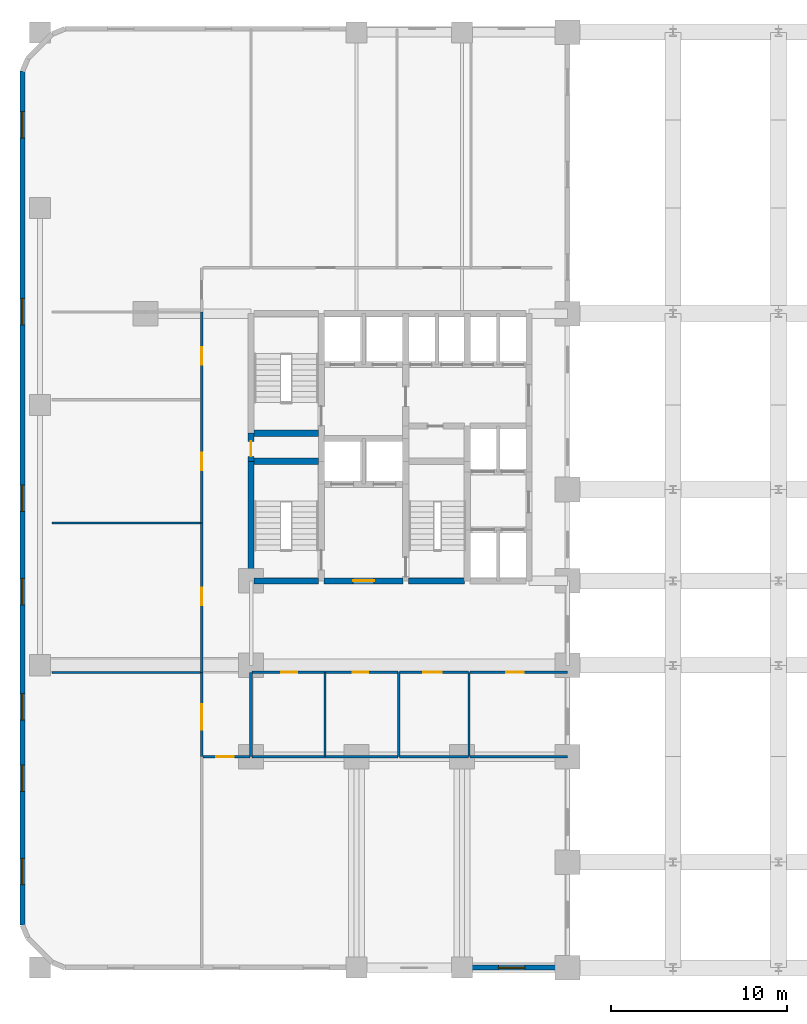
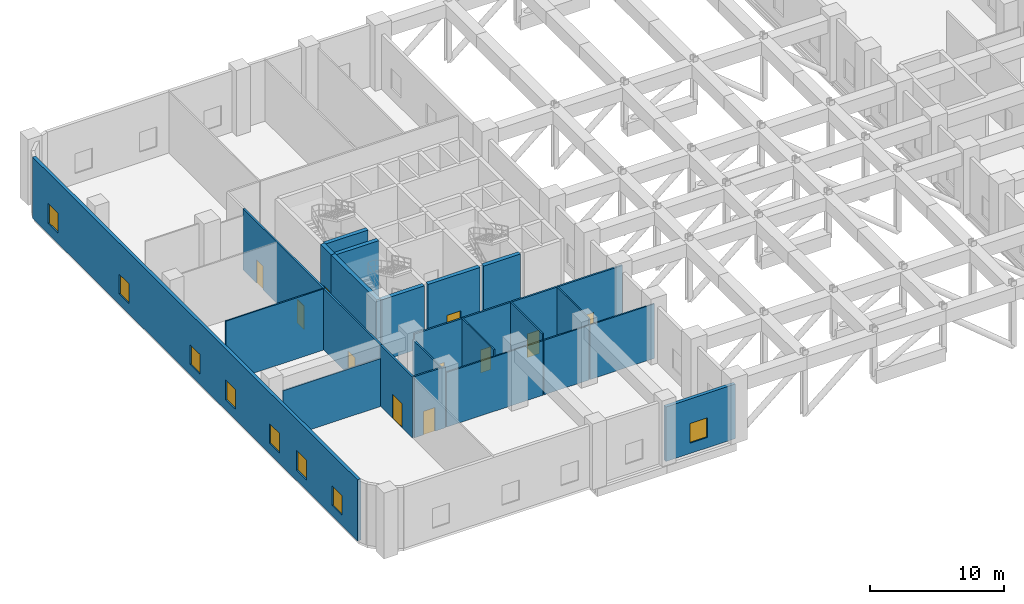
# One storey, part 4 of 11: 25 walls, 11 doors, 8 windows, 19 openings.
"""IFC4 building model written with IfcOpenShell, lengths in metres."""

from ifc_helpers import new_model, si_unit, direction, frame, frame_2d, origin, place, context, subcontext, project, spatial, rectangle, extrude, material, layer, layer_set, type_object, element, fill, save


model = new_model("IFC4")

# Units and contexts
model_context = context("Model", 3, precision=1e-05, world=origin(), true_north=direction((0.0, 1.0)))
body_context = subcontext(model_context, "Body", "Model", "MODEL_VIEW")
ifc_project = project(units=[si_unit("LENGTHUNIT", "METRE"), si_unit("AREAUNIT", "SQUARE_METRE"), si_unit("VOLUMEUNIT", "CUBIC_METRE"), si_unit("PLANEANGLEUNIT", "RADIAN"), si_unit("MASSUNIT", "GRAM", prefix="KILO")], contexts=[model_context])

# Site, building, storey
site_placement = place(None, origin())
site = spatial("IfcSite", under=ifc_project, at=site_placement, CompositionType="ELEMENT")
building_placement = place(site_placement, origin())
building = spatial("IfcBuilding", under=site, at=building_placement, Name="Keshet Zoharim Tower", CompositionType="ELEMENT")
storey_placement = place(building_placement, frame((0.0, 0.0, 13.0)))
storey = spatial("IfcBuildingStorey", under=building, at=storey_placement, Name="L02", CompositionType="ELEMENT", Elevation=13.0)

# Wall, opening, door
ifc_material_1 = material(Name="Gypsum Plasterboard", Category="gypsum")
ifc_layer_1 = layer(ifc_material_1, 0.14990234375)
ifc_layer_set_1 = layer_set([ifc_layer_1], Name="Gypsum Plasterboard")
wall_type_1 = type_object("IfcWallType", Name="WL-CLIN-150", PredefinedType="STANDARD", material=ifc_layer_set_1)
wall_1_placement = place(storey_placement, frame((12.199951171875, 12.699951171875, 0.0), z_axis=(0.0, 0.0, 1.0), x_axis=(0.0, 1.0, 0.0)))
wall_1 = element("IfcWall", 1, at=wall_1_placement, inside=storey, type_object=wall_type_1, Name="L02 Interior Wall 002", PredefinedType="STANDARD", context=body_context, shape_type="SweptSolid", body=[
    extrude(rectangle(XDim=4.800048828125, YDim=0.14990234375, at=frame_2d((2.39990234375, 0.0))), origin(), (0.0, 0.0, 1.0), 5.580078125),
])
opening_1_placement = place(wall_1_placement, frame((1.529052734375, 0.0, 0.0)))
opening_1 = element("IfcOpeningElement", 2, at=opening_1_placement, cuts=wall_1, Name="Opening D-F314", PredefinedType="OPENING", context=body_context, shape_type="SweptSolid", body=[
    extrude(rectangle(XDim=1.449951171875, YDim=2.199951171875, at=frame_2d((0.72509765625, 1.10009765625))), frame((0.0, 0.0849609375, 0.0), z_axis=(0.0, -1.0, 0.0), x_axis=(1.0, 0.0, 0.0)), (0.0, 0.0, 1.0), 0.169921875),
])
ifc_material_2 = material(Name="Hardwood Timber", Category="wood")
door_type_1 = type_object("IfcDoorType", Name="DR-FD30-145", OperationType="DOUBLE_DOOR_SINGLE_SWING", PredefinedType="DOOR", material=ifc_material_2)
door_1_placement = place(opening_1_placement, origin())
door_1 = element("IfcDoor", 3, at=door_1_placement, inside=storey, type_object=door_type_1, Name="L02 Clinic Patient Waiting Lounge Door", OperationType="DOUBLE_DOOR_SINGLE_SWING", OverallHeight=2.199951171875, OverallWidth=1.449951171875, PredefinedType="DOOR", context=body_context, shape_type="SweptSolid", body=[
    extrude(rectangle(XDim=1.449951171875, YDim=2.199951171875, at=frame_2d((0.72509765625, 1.10009765625))), frame((0.0, 0.02490234375, 0.0), z_axis=(0.0, -1.0, 0.0), x_axis=(1.0, 0.0, 0.0)), (0.0, 0.0, 1.0), 0.050048828125),
])
fill(opening_1, door_1)

wall_2_placement = place(storey_placement, frame((12.199951171875, 17.5, 0.0), z_axis=(0.0, 0.0, 1.0), x_axis=(0.0, 1.0, 0.0)))
wall_2 = element("IfcWall", 4, at=wall_2_placement, inside=storey, type_object=wall_type_1, Name="L02 Interior Wall 003", PredefinedType="STANDARD", context=body_context, shape_type="SweptSolid", body=[
    extrude(rectangle(XDim=8.5, YDim=0.14990234375, at=frame_2d((4.25, 0.0))), origin(), (0.0, 0.0, 1.0), 5.580078125),
])
opening_2_placement = place(wall_2_placement, frame((3.800048828125, 0.0, 0.0)))
opening_2 = element("IfcOpeningElement", 5, at=opening_2_placement, cuts=wall_2, Name="Opening D-F310", PredefinedType="OPENING", context=body_context, shape_type="SweptSolid", body=[
    extrude(rectangle(XDim=1.0, YDim=2.14990234375, at=frame_2d((0.5, 1.074951171875))), frame((0.0, 0.0849609375, 0.0), z_axis=(0.0, -1.0, 0.0), x_axis=(1.0, 0.0, 0.0)), (0.0, 0.0, 1.0), 0.169921875),
])
door_type_2 = type_object("IfcDoorType", Name="DR-FD30-100", OperationType="NOTDEFINED", PredefinedType="DOOR", material=ifc_material_2)
door_2_placement = place(opening_2_placement, origin())
door_2 = element("IfcDoor", 6, at=door_2_placement, inside=storey, type_object=door_type_2, Name="L02 Outpatient Consultation Room 1 Door", OperationType="SINGLE_SWING_LEFT", OverallHeight=2.14990234375, OverallWidth=1.0, PredefinedType="DOOR", context=body_context, shape_type="SweptSolid", body=[
    extrude(rectangle(XDim=1.0, YDim=2.14990234375, at=frame_2d((0.5, 1.074951171875))), frame((0.0, 0.02490234375, 0.0), z_axis=(0.0, -1.0, 0.0), x_axis=(1.0, 0.0, 0.0)), (0.0, 0.0, 1.0), 0.050048828125),
])
fill(opening_2, door_2)

# Wall, openings, doors
wall_3_placement = place(storey_placement, frame((12.199951171875, 26.0, 0.0), z_axis=(0.0, 0.0, 1.0), x_axis=(0.0, 1.0, 0.0)))
wall_3 = element("IfcWall", 7, at=wall_3_placement, inside=storey, type_object=wall_type_1, Name="L02 Interior Wall 004", PredefinedType="STANDARD", context=body_context, shape_type="SweptSolid", body=[
    extrude(rectangle(XDim=12.0, YDim=0.14990234375, at=frame_2d((6.0, 0.0))), origin(), (0.0, 0.0, 1.0), 5.580078125),
])
opening_3_placement = place(wall_3_placement, frame((3.0, 0.0, 0.0)))
opening_3 = element("IfcOpeningElement", 8, at=opening_3_placement, cuts=wall_3, Name="Opening D-F310", PredefinedType="OPENING", context=body_context, shape_type="SweptSolid", body=[
    extrude(rectangle(XDim=1.0, YDim=2.14990234375, at=frame_2d((0.5, 1.074951171875))), frame((0.0, 0.0849609375, 0.0), z_axis=(0.0, -1.0, 0.0), x_axis=(1.0, 0.0, 0.0)), (0.0, 0.0, 1.0), 0.169921875),
])
opening_4_placement = place(wall_3_placement, frame((9.0, 0.0, 0.0)))
opening_4 = element("IfcOpeningElement", 9, at=opening_4_placement, cuts=wall_3, Name="Opening D-F310", PredefinedType="OPENING", context=body_context, shape_type="SweptSolid", body=[
    extrude(rectangle(XDim=1.0, YDim=2.14990234375, at=frame_2d((0.5, 1.074951171875))), frame((0.0, 0.0849609375, 0.0), z_axis=(0.0, -1.0, 0.0), x_axis=(1.0, 0.0, 0.0)), (0.0, 0.0, 1.0), 0.169921875),
])
door_3_placement = place(opening_3_placement, origin())
door_3 = element("IfcDoor", 10, at=door_3_placement, inside=storey, type_object=door_type_2, Name="L02 Clinical Examination Room 1 Door", OperationType="SINGLE_SWING_RIGHT", OverallHeight=2.14990234375, OverallWidth=1.0, PredefinedType="DOOR", context=body_context, shape_type="SweptSolid", body=[
    extrude(rectangle(XDim=1.0, YDim=2.14990234375, at=frame_2d((0.5, 1.074951171875))), frame((0.0, 0.02490234375, 0.0), z_axis=(0.0, -1.0, 0.0), x_axis=(1.0, 0.0, 0.0)), (0.0, 0.0, 1.0), 0.050048828125),
])
fill(opening_3, door_3)
door_4_placement = place(opening_4_placement, origin())
door_4 = element("IfcDoor", 11, at=door_4_placement, inside=storey, type_object=door_type_2, Name="L02 Medical Treatment Room 1 Door", OperationType="SINGLE_SWING_LEFT", OverallHeight=2.14990234375, OverallWidth=1.0, PredefinedType="DOOR", context=body_context, shape_type="SweptSolid", body=[
    extrude(rectangle(XDim=1.0, YDim=2.14990234375, at=frame_2d((0.5, 1.074951171875))), frame((0.0, 0.02490234375, 0.0), z_axis=(0.0, -1.0, 0.0), x_axis=(1.0, 0.0, 0.0)), (0.0, 0.0, 1.0), 0.050048828125),
])
fill(opening_4, door_4)

# Wall
wall_4_placement = place(storey_placement, frame((15.0, 12.699951171875, 0.0), z_axis=(0.0, 0.0, 1.0), x_axis=(0.0, 1.0, 0.0)))
element("IfcWall", 12, at=wall_4_placement, inside=storey, type_object=wall_type_1, Name="L02 Interior Wall 006", PredefinedType="STANDARD", context=body_context, shape_type="SweptSolid", body=[
    extrude(rectangle(XDim=4.800048828125, YDim=0.14990234375, at=frame_2d((2.39990234375, 0.0))), origin(), (0.0, 0.0, 1.0), 5.080078125),
])

# Wall, opening, door
wall_5_placement = place(storey_placement, frame((12.260009765625, 12.699951171875, 0.0), z_axis=(0.0, 0.0, 1.0), x_axis=(1.0, 0.0, 0.0)))
wall_5 = element("IfcWall", 13, at=wall_5_placement, inside=storey, type_object=wall_type_1, Name="L02 Interior Wall 047", PredefinedType="STANDARD", context=body_context, shape_type="SweptSolid", body=[
    extrude(rectangle(XDim=2.679931640625, YDim=0.14990234375, at=frame_2d((1.33984375, 0.0))), origin(), (0.0, 0.0, 1.0), 5.580078125),
])
opening_5_placement = place(wall_5_placement, frame((0.76806640625, 0.0, 0.0)))
opening_5 = element("IfcOpeningElement", 14, at=opening_5_placement, cuts=wall_5, Name="Opening D-F310", PredefinedType="OPENING", context=body_context, shape_type="SweptSolid", body=[
    extrude(rectangle(XDim=1.0, YDim=2.14990234375, at=frame_2d((0.5, 1.074951171875))), frame((0.0, 0.0849609375, 0.0), z_axis=(0.0, -1.0, 0.0), x_axis=(1.0, 0.0, 0.0)), (0.0, 0.0, 1.0), 0.169921875),
])
door_5_placement = place(opening_5_placement, origin())
door_5 = element("IfcDoor", 15, at=door_5_placement, inside=storey, type_object=door_type_2, Name="L02 Clinic Records and Admin Office Door", OperationType="SINGLE_SWING_RIGHT", OverallHeight=2.14990234375, OverallWidth=1.0, PredefinedType="DOOR", context=body_context, shape_type="SweptSolid", body=[
    extrude(rectangle(XDim=1.0, YDim=2.14990234375, at=frame_2d((0.5, 1.074951171875))), frame((0.0, 0.02490234375, 0.0), z_axis=(0.0, -1.0, 0.0), x_axis=(1.0, 0.0, 0.0)), (0.0, 0.0, 1.0), 0.050048828125),
])
fill(opening_5, door_5)

# Wall, openings, doors
wall_6_placement = place(storey_placement, frame((15.06005859375, 17.5, 0.0), z_axis=(0.0, 0.0, 1.0), x_axis=(1.0, 0.0, 0.0)))
wall_6 = element("IfcWall", 16, at=wall_6_placement, inside=storey, type_object=wall_type_1, Name="L02 Interior Wall 052", PredefinedType="STANDARD", context=body_context, shape_type="SweptSolid", body=[
    extrude(rectangle(XDim=8.294921875, YDim=0.14990234375, at=frame_2d((4.1474609375, 0.0))), origin(), (0.0, 0.0, 1.0), 5.580078125),
])
opening_6_placement = place(wall_6_placement, frame((1.6650390625, 0.0, 0.0)))
opening_6 = element("IfcOpeningElement", 17, at=opening_6_placement, cuts=wall_6, Name="Opening D-WT90", PredefinedType="OPENING", context=body_context, shape_type="SweptSolid", body=[
    extrude(rectangle(XDim=0.89990234375, YDim=2.10009765625, at=frame_2d((0.449951171875, 1.050048828125))), frame((0.0, 0.0849609375, 0.0), z_axis=(0.0, -1.0, 0.0), x_axis=(1.0, 0.0, 0.0)), (0.0, 0.0, 1.0), 0.169921875),
])
opening_7_placement = place(wall_6_placement, frame((5.715087890625, 0.0, 0.0)))
opening_7 = element("IfcOpeningElement", 18, at=opening_7_placement, cuts=wall_6, Name="Opening D-WT90", PredefinedType="OPENING", context=body_context, shape_type="SweptSolid", body=[
    extrude(rectangle(XDim=0.89990234375, YDim=2.10009765625, at=frame_2d((0.449951171875, 1.050048828125))), frame((0.0, 0.0849609375, 0.0), z_axis=(0.0, -1.0, 0.0), x_axis=(1.0, 0.0, 0.0)), (0.0, 0.0, 1.0), 0.169921875),
])
door_type_3 = type_object("IfcDoorType", Name="DR-WET-090", OperationType="NOTDEFINED", PredefinedType="DOOR", material=ifc_material_2)
door_6_placement = place(opening_6_placement, origin())
door_6 = element("IfcDoor", 19, at=door_6_placement, inside=storey, type_object=door_type_3, Name="L02 Public Male WC Door", OperationType="SINGLE_SWING_LEFT", OverallHeight=2.10009765625, OverallWidth=0.89990234375, PredefinedType="DOOR", context=body_context, shape_type="SweptSolid", body=[
    extrude(rectangle(XDim=0.89990234375, YDim=2.10009765625, at=frame_2d((0.449951171875, 1.050048828125))), frame((0.0, 0.02490234375, 0.0), z_axis=(0.0, -1.0, 0.0), x_axis=(1.0, 0.0, 0.0)), (0.0, 0.0, 1.0), 0.050048828125),
])
fill(opening_6, door_6)
door_7_placement = place(opening_7_placement, origin())
door_7 = element("IfcDoor", 20, at=door_7_placement, inside=storey, type_object=door_type_3, Name="L02 Public Female WC Door", OperationType="SINGLE_SWING_RIGHT", OverallHeight=2.10009765625, OverallWidth=0.89990234375, PredefinedType="DOOR", context=body_context, shape_type="SweptSolid", body=[
    extrude(rectangle(XDim=0.89990234375, YDim=2.10009765625, at=frame_2d((0.449951171875, 1.050048828125))), frame((0.0, 0.02490234375, 0.0), z_axis=(0.0, -1.0, 0.0), x_axis=(1.0, 0.0, 0.0)), (0.0, 0.0, 1.0), 0.050048828125),
])
fill(opening_7, door_7)

# Wall, opening, door
wall_7_placement = place(storey_placement, frame((23.445068359375, 17.5, 0.0), z_axis=(0.0, 0.0, 1.0), x_axis=(1.0, 0.0, 0.0)))
wall_7 = element("IfcWall", 21, at=wall_7_placement, inside=storey, type_object=wall_type_1, Name="L02 Interior Wall 053", PredefinedType="STANDARD", context=body_context, shape_type="SweptSolid", body=[
    extrude(rectangle(XDim=3.909912109375, YDim=0.14990234375, at=frame_2d((1.955078125, 0.0))), origin(), (0.0, 0.0, 1.0), 5.580078125),
])
opening_8_placement = place(wall_7_placement, frame((1.35791015625, 0.0, 0.0)))
opening_8 = element("IfcOpeningElement", 22, at=opening_8_placement, cuts=wall_7, Name="Opening D-AC10", PredefinedType="OPENING", context=body_context, shape_type="SweptSolid", body=[
    extrude(rectangle(XDim=1.050048828125, YDim=2.14990234375, at=frame_2d((0.52490234375, 1.074951171875))), frame((0.0, 0.0849609375, 0.0), z_axis=(0.0, -1.0, 0.0), x_axis=(1.0, 0.0, 0.0)), (0.0, 0.0, 1.0), 0.169921875),
])
door_type_4 = type_object("IfcDoorType", Name="DR-ACC-105", OperationType="NOTDEFINED", PredefinedType="DOOR", material=ifc_material_2)
door_8_placement = place(opening_8_placement, origin())
door_8 = element("IfcDoor", 23, at=door_8_placement, inside=storey, type_object=door_type_4, Name="L02 Public Accessible WC Door", OperationType="SINGLE_SWING_LEFT", OverallHeight=2.14990234375, OverallWidth=1.050048828125, PredefinedType="DOOR", context=body_context, shape_type="SweptSolid", body=[
    extrude(rectangle(XDim=1.050048828125, YDim=2.14990234375, at=frame_2d((0.52490234375, 1.074951171875))), frame((0.0, 0.02490234375, 0.0), z_axis=(0.0, -1.0, 0.0), x_axis=(1.0, 0.0, 0.0)), (0.0, 0.0, 1.0), 0.050048828125),
])
fill(opening_8, door_8)

wall_8_placement = place(storey_placement, frame((27.445068359375, 17.5, 0.0), z_axis=(0.0, 0.0, 1.0), x_axis=(1.0, 0.0, 0.0)))
wall_8 = element("IfcWall", 24, at=wall_8_placement, inside=storey, type_object=wall_type_1, Name="L02 Interior Wall 054", PredefinedType="STANDARD", context=body_context, shape_type="SweptSolid", body=[
    extrude(rectangle(XDim=5.544921875, YDim=0.14990234375, at=frame_2d((2.7724609375, 0.0))), origin(), (0.0, 0.0, 1.0), 5.580078125),
])
opening_9_placement = place(wall_8_placement, frame((2.05908203125, 0.0, 0.0)))
opening_9 = element("IfcOpeningElement", 25, at=opening_9_placement, cuts=wall_8, Name="Opening D-F310", PredefinedType="OPENING", context=body_context, shape_type="SweptSolid", body=[
    extrude(rectangle(XDim=1.0, YDim=2.14990234375, at=frame_2d((0.5, 1.074951171875))), frame((0.0, 0.0849609375, 0.0), z_axis=(0.0, -1.0, 0.0), x_axis=(1.0, 0.0, 0.0)), (0.0, 0.0, 1.0), 0.169921875),
])
door_9_placement = place(opening_9_placement, origin())
door_9 = element("IfcDoor", 26, at=door_9_placement, inside=storey, type_object=door_type_2, Name="L02 Staff Lounge Door", OperationType="SINGLE_SWING_RIGHT", OverallHeight=2.14990234375, OverallWidth=1.0, PredefinedType="DOOR", context=body_context, shape_type="SweptSolid", body=[
    extrude(rectangle(XDim=1.0, YDim=2.14990234375, at=frame_2d((0.5, 1.074951171875))), frame((0.0, 0.02490234375, 0.0), z_axis=(0.0, -1.0, 0.0), x_axis=(1.0, 0.0, 0.0)), (0.0, 0.0, 1.0), 0.050048828125),
])
fill(opening_9, door_9)

# Wall
ifc_material_3 = material(Name="Concrete C60/75", Category="concrete")
ifc_layer_2 = layer(ifc_material_3, 0.35009765625)
ifc_layer_set_2 = layer_set([ifc_layer_2], Name="Concrete C60/75")
wall_type_2 = type_object("IfcWallType", Name="WL-CORE-350", PredefinedType="SHEAR", material=ifc_layer_set_2)
wall_9_placement = place(storey_placement, frame((15.0, 22.699951171875, 0.0), z_axis=(0.0, 0.0, 1.0), x_axis=(0.0, 1.0, 0.0)))
element("IfcWall", 27, at=wall_9_placement, inside=storey, type_object=wall_type_2, Name="L02 Core Shear Wall 007", PredefinedType="SHEAR", context=body_context, shape_type="SweptSolid", body=[
    extrude(rectangle(XDim=6.800048828125, YDim=0.35009765625, at=frame_2d((3.39990234375, 0.0))), origin(), (0.0, 0.0, 1.0), 5.580078125),
])

# Wall, opening, door
wall_10_placement = place(storey_placement, frame((15.0, 29.5, 0.0), z_axis=(0.0, 0.0, 1.0), x_axis=(0.0, 1.0, 0.0)))
wall_10 = element("IfcWall", 28, at=wall_10_placement, inside=storey, type_object=wall_type_2, Name="L02 Core Shear Wall 008", PredefinedType="SHEAR", context=body_context, shape_type="SweptSolid", body=[
    extrude(rectangle(XDim=1.60009765625, YDim=0.35009765625, at=frame_2d((0.800048828125, 0.0))), origin(), (0.0, 0.0, 1.0), 5.580078125),
])
opening_10_placement = place(wall_10_placement, frame((0.287109375, 0.0, 0.0)))
opening_10 = element("IfcOpeningElement", 29, at=opening_10_placement, cuts=wall_10, Name="Opening D-RS85", PredefinedType="OPENING", context=body_context, shape_type="SweptSolid", body=[
    extrude(rectangle(XDim=0.85009765625, YDim=2.10009765625, at=frame_2d((0.425048828125, 1.050048828125))), frame((0.0, 0.18505859375, 0.0), z_axis=(0.0, -1.0, 0.0), x_axis=(1.0, 0.0, 0.0)), (0.0, 0.0, 1.0), 0.3701171875),
])
door_type_5 = type_object("IfcDoorType", Name="DR-RIS-085", OperationType="NOTDEFINED", PredefinedType="DOOR", material=ifc_material_2)
door_10_placement = place(opening_10_placement, origin())
door_10 = element("IfcDoor", 30, at=door_10_placement, inside=storey, type_object=door_type_5, Name="L02 Electrical Riser Access Cupboard Door", OperationType="SINGLE_SWING_LEFT", OverallHeight=2.10009765625, OverallWidth=0.85009765625, PredefinedType="DOOR", context=body_context, shape_type="SweptSolid", body=[
    extrude(rectangle(XDim=0.85009765625, YDim=2.10009765625, at=frame_2d((0.425048828125, 1.050048828125))), frame((0.0, 0.02490234375, 0.0), z_axis=(0.0, -1.0, 0.0), x_axis=(1.0, 0.0, 0.0)), (0.0, 0.0, 1.0), 0.050048828125),
])
fill(opening_10, door_10)

# Wall
wall_11_placement = place(storey_placement, frame((15.159912109375, 22.699951171875, 0.0), z_axis=(0.0, 0.0, 1.0), x_axis=(1.0, 0.0, 0.0)))
element("IfcWall", 31, at=wall_11_placement, inside=storey, type_object=wall_type_2, Name="L02 Core Shear Wall 056", PredefinedType="SHEAR", context=body_context, shape_type="SweptSolid", body=[
    extrude(rectangle(XDim=3.68017578125, YDim=0.35009765625, at=frame_2d((1.840087890625, 0.0))), origin(), (0.0, 0.0, 1.0), 5.580078125),
])

# Wall, opening, door
wall_12_placement = place(storey_placement, frame((19.159912109375, 22.699951171875, 0.0), z_axis=(0.0, 0.0, 1.0), x_axis=(1.0, 0.0, 0.0)))
wall_12 = element("IfcWall", 32, at=wall_12_placement, inside=storey, type_object=wall_type_2, Name="L02 Core Shear Wall 057", PredefinedType="SHEAR", context=body_context, shape_type="SweptSolid", body=[
    extrude(rectangle(XDim=4.47998046875, YDim=0.35009765625, at=frame_2d((2.239990234375, 0.0))), origin(), (0.0, 0.0, 1.0), 5.580078125),
])
opening_11_placement = place(wall_12_placement, frame((1.639892578125, 0.0, 0.0)))
opening_11 = element("IfcOpeningElement", 33, at=opening_11_placement, cuts=wall_12, Name="Opening D-F612", PredefinedType="OPENING", context=body_context, shape_type="SweptSolid", body=[
    extrude(rectangle(XDim=1.199951171875, YDim=2.199951171875, at=frame_2d((0.60009765625, 1.10009765625))), frame((0.0, 0.18505859375, 0.0), z_axis=(0.0, -1.0, 0.0), x_axis=(1.0, 0.0, 0.0)), (0.0, 0.0, 1.0), 0.3701171875),
])
door_type_6 = type_object("IfcDoorType", Name="DR-FD60-120", OperationType="NOTDEFINED", PredefinedType="DOOR", material=ifc_material_2)
door_11_placement = place(opening_11_placement, origin())
door_11 = element("IfcDoor", 34, at=door_11_placement, inside=storey, type_object=door_type_6, Name="L02 South Core Lobby Fire Door", OperationType="SINGLE_SWING_LEFT", OverallHeight=2.199951171875, OverallWidth=1.199951171875, PredefinedType="DOOR", context=body_context, shape_type="SweptSolid", body=[
    extrude(rectangle(XDim=1.199951171875, YDim=2.199951171875, at=frame_2d((0.60009765625, 1.10009765625))), frame((0.0, 0.02490234375, 0.0), z_axis=(0.0, -1.0, 0.0), x_axis=(1.0, 0.0, 0.0)), (0.0, 0.0, 1.0), 0.050048828125),
])
fill(opening_11, door_11)

# Walls
wall_13_placement = place(storey_placement, frame((23.9599609375, 22.699951171875, 0.0), z_axis=(0.0, 0.0, 1.0), x_axis=(1.0, 0.0, 0.0)))
element("IfcWall", 35, at=wall_13_placement, inside=storey, type_object=wall_type_2, Name="L02 Core Shear Wall 058", PredefinedType="SHEAR", context=body_context, shape_type="SweptSolid", body=[
    extrude(rectangle(XDim=3.179931640625, YDim=0.35009765625, at=frame_2d((1.58984375, 0.0))), origin(), (0.0, 0.0, 1.0), 5.580078125),
])
for number, where, z_axis, x_axis, name in (
    (36, (15.159912109375, 29.5, 0.0), (0.0, 0.0, 1.0), (1.0, 0.0, 0.0), "L02 Core Shear Wall 065"),
    (37, (15.159912109375, 31.10009765625, 0.0), (0.0, 0.0, 1.0), (1.0, 0.0, 0.0), "L02 Core Shear Wall 070"),
):
    element("IfcWall", number, at=place(storey_placement, frame(where, z_axis=z_axis, x_axis=x_axis)), inside=storey, type_object=wall_type_2, Name=name, PredefinedType="SHEAR", context=body_context, shape_type="SweptSolid", body=[
        extrude(rectangle(XDim=3.68017578125, YDim=0.35009765625, at=frame_2d((1.840087890625, 0.0))), origin(), (0.0, 0.0, 1.0), 5.580078125),
    ])

# Wall, openings, windows
ifc_material_4 = material(Name="Concrete C50/60 precast", Category="concrete")
ifc_layer_3 = layer(ifc_material_4, 0.280029296875)
ifc_layer_set_3 = layer_set([ifc_layer_3], Name="Concrete C50/60 precast")
wall_type_3 = type_object("IfcWallType", Name="WL-EXT-280", PredefinedType="STANDARD", material=ifc_layer_set_3)
wall_14_placement = place(storey_placement, frame((2.0, 3.114013671875, 0.0), z_axis=(0.0, 0.0, 1.0), x_axis=(0.0, 1.0, 0.0)))
wall_14 = element("IfcWall", 38, at=wall_14_placement, inside=storey, type_object=wall_type_3, Name="L02 Podium Precast Facade Wall 01", PredefinedType="STANDARD", context=body_context, shape_type="SweptSolid", body=[
    extrude(rectangle(XDim=48.572021484375, YDim=0.280029296875, at=frame_2d((24.2861328125, 0.0))), origin(), (0.0, 0.0, 1.0), 5.580078125),
])
opening_12_placement = place(wall_14_placement, frame((2.303955078125, 0.0, 0.949951171875)))
opening_12 = element("IfcOpeningElement", 39, at=opening_12_placement, cuts=wall_14, Name="Opening W-150", PredefinedType="OPENING", context=body_context, shape_type="SweptSolid", body=[
    extrude(rectangle(XDim=1.5, YDim=1.800048828125, at=frame_2d((0.75, 0.89990234375))), frame((0.0, 0.14990234375, 0.0), z_axis=(0.0, -1.0, 0.0), x_axis=(1.0, 0.0, 0.0)), (0.0, 0.0, 1.0), 0.300048828125),
])
opening_13_placement = place(wall_14_placement, frame((7.612060546875, 0.0, 0.949951171875)))
opening_13 = element("IfcOpeningElement", 40, at=opening_13_placement, cuts=wall_14, Name="Opening W-150", PredefinedType="OPENING", context=body_context, shape_type="SweptSolid", body=[
    extrude(rectangle(XDim=1.5, YDim=1.800048828125, at=frame_2d((0.75, 0.89990234375))), frame((0.0, 0.14990234375, 0.0), z_axis=(0.0, -1.0, 0.0), x_axis=(1.0, 0.0, 0.0)), (0.0, 0.0, 1.0), 0.300048828125),
])
opening_14_placement = place(wall_14_placement, frame((11.669921875, 0.0, 0.949951171875)))
opening_14 = element("IfcOpeningElement", 41, at=opening_14_placement, cuts=wall_14, Name="Opening W-150", PredefinedType="OPENING", context=body_context, shape_type="SweptSolid", body=[
    extrude(rectangle(XDim=1.5, YDim=1.800048828125, at=frame_2d((0.75, 0.89990234375))), frame((0.0, 0.14990234375, 0.0), z_axis=(0.0, -1.0, 0.0), x_axis=(1.0, 0.0, 0.0)), (0.0, 0.0, 1.0), 0.300048828125),
])
opening_15_placement = place(wall_14_placement, frame((18.22802734375, 0.0, 0.949951171875)))
opening_15 = element("IfcOpeningElement", 42, at=opening_15_placement, cuts=wall_14, Name="Opening W-150", PredefinedType="OPENING", context=body_context, shape_type="SweptSolid", body=[
    extrude(rectangle(XDim=1.5, YDim=1.800048828125, at=frame_2d((0.75, 0.89990234375))), frame((0.0, 0.14990234375, 0.0), z_axis=(0.0, -1.0, 0.0), x_axis=(1.0, 0.0, 0.0)), (0.0, 0.0, 1.0), 0.300048828125),
])
opening_16_placement = place(wall_14_placement, frame((23.535888671875, 0.0, 0.949951171875)))
opening_16 = element("IfcOpeningElement", 43, at=opening_16_placement, cuts=wall_14, Name="Opening W-150", PredefinedType="OPENING", context=body_context, shape_type="SweptSolid", body=[
    extrude(rectangle(XDim=1.5, YDim=1.800048828125, at=frame_2d((0.75, 0.89990234375))), frame((0.0, 0.14990234375, 0.0), z_axis=(0.0, -1.0, 0.0), x_axis=(1.0, 0.0, 0.0)), (0.0, 0.0, 1.0), 0.300048828125),
])
opening_17_placement = place(wall_14_placement, frame((34.152099609375, 0.0, 0.949951171875)))
opening_17 = element("IfcOpeningElement", 44, at=opening_17_placement, cuts=wall_14, Name="Opening W-150", PredefinedType="OPENING", context=body_context, shape_type="SweptSolid", body=[
    extrude(rectangle(XDim=1.5, YDim=1.800048828125, at=frame_2d((0.75, 0.89990234375))), frame((0.0, 0.14990234375, 0.0), z_axis=(0.0, -1.0, 0.0), x_axis=(1.0, 0.0, 0.0)), (0.0, 0.0, 1.0), 0.300048828125),
])
opening_18_placement = place(wall_14_placement, frame((44.76806640625, 0.0, 0.949951171875)))
opening_18 = element("IfcOpeningElement", 45, at=opening_18_placement, cuts=wall_14, Name="Opening W-150", PredefinedType="OPENING", context=body_context, shape_type="SweptSolid", body=[
    extrude(rectangle(XDim=1.5, YDim=1.800048828125, at=frame_2d((0.75, 0.89990234375))), frame((0.0, 0.14990234375, 0.0), z_axis=(0.0, -1.0, 0.0), x_axis=(1.0, 0.0, 0.0)), (0.0, 0.0, 1.0), 0.300048828125),
])
ifc_material_5 = material(Name="Insulated Low-E Clear Glass", Category="glass")
window_type = type_object("IfcWindowType", Name="WN-CLN-150", PartitioningType="SINGLE_PANEL", PredefinedType="WINDOW", material=ifc_material_5)
window_1_placement = place(opening_12_placement, origin())
window_1 = element("IfcWindow", 46, at=window_1_placement, inside=storey, type_object=window_type, Name="L02 Clinic Facade Window 01", OverallHeight=1.800048828125, OverallWidth=1.5, PartitioningType="SINGLE_PANEL", PredefinedType="WINDOW", context=body_context, shape_type="SweptSolid", body=[
    extrude(rectangle(XDim=1.5, YDim=1.800048828125, at=frame_2d((0.75, 0.89990234375))), frame((0.0, 0.030029296875, 0.0), z_axis=(0.0, -1.0, 0.0), x_axis=(1.0, 0.0, 0.0)), (0.0, 0.0, 1.0), 0.06005859375),
])
fill(opening_12, window_1)
window_2_placement = place(opening_13_placement, origin())
window_2 = element("IfcWindow", 47, at=window_2_placement, inside=storey, type_object=window_type, Name="L02 Clinic Facade Window 02", OverallHeight=1.800048828125, OverallWidth=1.5, PartitioningType="SINGLE_PANEL", PredefinedType="WINDOW", context=body_context, shape_type="SweptSolid", body=[
    extrude(rectangle(XDim=1.5, YDim=1.800048828125, at=frame_2d((0.75, 0.89990234375))), frame((0.0, 0.030029296875, 0.0), z_axis=(0.0, -1.0, 0.0), x_axis=(1.0, 0.0, 0.0)), (0.0, 0.0, 1.0), 0.06005859375),
])
fill(opening_13, window_2)
window_3_placement = place(opening_14_placement, origin())
window_3 = element("IfcWindow", 48, at=window_3_placement, inside=storey, type_object=window_type, Name="L02 Clinic Facade Window 03", OverallHeight=1.800048828125, OverallWidth=1.5, PartitioningType="SINGLE_PANEL", PredefinedType="WINDOW", context=body_context, shape_type="SweptSolid", body=[
    extrude(rectangle(XDim=1.5, YDim=1.800048828125, at=frame_2d((0.75, 0.89990234375))), frame((0.0, 0.030029296875, 0.0), z_axis=(0.0, -1.0, 0.0), x_axis=(1.0, 0.0, 0.0)), (0.0, 0.0, 1.0), 0.06005859375),
])
fill(opening_14, window_3)
window_4_placement = place(opening_15_placement, origin())
window_4 = element("IfcWindow", 49, at=window_4_placement, inside=storey, type_object=window_type, Name="L02 Clinic Facade Window 04", OverallHeight=1.800048828125, OverallWidth=1.5, PartitioningType="SINGLE_PANEL", PredefinedType="WINDOW", context=body_context, shape_type="SweptSolid", body=[
    extrude(rectangle(XDim=1.5, YDim=1.800048828125, at=frame_2d((0.75, 0.89990234375))), frame((0.0, 0.030029296875, 0.0), z_axis=(0.0, -1.0, 0.0), x_axis=(1.0, 0.0, 0.0)), (0.0, 0.0, 1.0), 0.06005859375),
])
fill(opening_15, window_4)
window_5_placement = place(opening_16_placement, origin())
window_5 = element("IfcWindow", 50, at=window_5_placement, inside=storey, type_object=window_type, Name="L02 Clinic Facade Window 05", OverallHeight=1.800048828125, OverallWidth=1.5, PartitioningType="SINGLE_PANEL", PredefinedType="WINDOW", context=body_context, shape_type="SweptSolid", body=[
    extrude(rectangle(XDim=1.5, YDim=1.800048828125, at=frame_2d((0.75, 0.89990234375))), frame((0.0, 0.030029296875, 0.0), z_axis=(0.0, -1.0, 0.0), x_axis=(1.0, 0.0, 0.0)), (0.0, 0.0, 1.0), 0.06005859375),
])
fill(opening_16, window_5)
window_6_placement = place(opening_17_placement, origin())
window_6 = element("IfcWindow", 51, at=window_6_placement, inside=storey, type_object=window_type, Name="L02 Clinic Facade Window 06", OverallHeight=1.800048828125, OverallWidth=1.5, PartitioningType="SINGLE_PANEL", PredefinedType="WINDOW", context=body_context, shape_type="SweptSolid", body=[
    extrude(rectangle(XDim=1.5, YDim=1.800048828125, at=frame_2d((0.75, 0.89990234375))), frame((0.0, 0.030029296875, 0.0), z_axis=(0.0, -1.0, 0.0), x_axis=(1.0, 0.0, 0.0)), (0.0, 0.0, 1.0), 0.06005859375),
])
fill(opening_17, window_6)
window_7_placement = place(opening_18_placement, origin())
window_7 = element("IfcWindow", 52, at=window_7_placement, inside=storey, type_object=window_type, Name="L02 Clinic Facade Window 07", OverallHeight=1.800048828125, OverallWidth=1.5, PartitioningType="SINGLE_PANEL", PredefinedType="WINDOW", context=body_context, shape_type="SweptSolid", body=[
    extrude(rectangle(XDim=1.5, YDim=1.800048828125, at=frame_2d((0.75, 0.89990234375))), frame((0.0, 0.030029296875, 0.0), z_axis=(0.0, -1.0, 0.0), x_axis=(1.0, 0.0, 0.0)), (0.0, 0.0, 1.0), 0.06005859375),
])
fill(opening_18, window_7)

# Wall, opening, window
wall_15_placement = place(storey_placement, frame((33.0, 0.699951171875, 0.0), z_axis=(0.0, 0.0, 1.0), x_axis=(-1.0, 0.0, 0.0)))
wall_15 = element("IfcWall", 53, at=wall_15_placement, inside=storey, type_object=wall_type_3, Name="L02 Podium Precast Facade Wall 07", PredefinedType="STANDARD", context=body_context, shape_type="SweptSolid", body=[
    extrude(rectangle(XDim=6.0, YDim=0.280029296875, at=frame_2d((3.0, 0.0))), origin(), (0.0, 0.0, 1.0), 4.97998046875),
])
opening_19_placement = place(wall_15_placement, frame((2.428955078125, 0.0, 0.949951171875)))
opening_19 = element("IfcOpeningElement", 54, at=opening_19_placement, cuts=wall_15, Name="Opening W-150", PredefinedType="OPENING", context=body_context, shape_type="SweptSolid", body=[
    extrude(rectangle(XDim=1.5, YDim=1.800048828125, at=frame_2d((0.75, 0.89990234375))), frame((0.0, 0.14990234375, 0.0), z_axis=(0.0, -1.0, 0.0), x_axis=(1.0, 0.0, 0.0)), (0.0, 0.0, 1.0), 0.300048828125),
])
window_8_placement = place(opening_19_placement, origin())
window_8 = element("IfcWindow", 55, at=window_8_placement, inside=storey, type_object=window_type, Name="L02 Clinic Facade Window 23", OverallHeight=1.800048828125, OverallWidth=1.5, PartitioningType="SINGLE_PANEL", PredefinedType="WINDOW", context=body_context, shape_type="SweptSolid", body=[
    extrude(rectangle(XDim=1.5, YDim=1.800048828125, at=frame_2d((0.75, 0.89990234375))), frame((0.0, 0.030029296875, 0.0), z_axis=(0.0, -1.0, 0.0), x_axis=(1.0, 0.0, 0.0)), (0.0, 0.0, 1.0), 0.06005859375),
])
fill(opening_19, window_8)

# Walls
ifc_layer_4 = layer(ifc_material_1, 0.1201171875)
ifc_layer_set_4 = layer_set([ifc_layer_4], Name="Gypsum Plasterboard")
wall_type_4 = type_object("IfcWallType", Name="WL-PART-120", PredefinedType="PARTITIONING", material=ifc_layer_set_4)
wall_16_placement = place(storey_placement, frame((27.445068359375, 12.699951171875, 0.0), z_axis=(0.0, 0.0, 1.0), x_axis=(1.0, 0.0, 0.0)))
element("IfcWall", 56, at=wall_16_placement, inside=storey, type_object=wall_type_4, Name="L02 Interior Wall 050", PredefinedType="PARTITIONING", context=body_context, shape_type="SweptSolid", body=[
    extrude(rectangle(XDim=5.544921875, YDim=0.1201171875, at=frame_2d((2.7724609375, 0.0))), origin(), (0.0, 0.0, 1.0), 4.97998046875),
])
wall_17_placement = place(storey_placement, frame((3.68994140625, 17.5, 0.0), z_axis=(0.0, 0.0, 1.0), x_axis=(1.0, 0.0, 0.0)))
element("IfcWall", 57, at=wall_17_placement, inside=storey, type_object=wall_type_4, Name="L02 Interior Wall 051", PredefinedType="PARTITIONING", context=body_context, shape_type="SweptSolid", body=[
    extrude(rectangle(XDim=8.449951171875, YDim=0.1201171875, at=frame_2d((4.22509765625, 0.0))), origin(), (0.0, 0.0, 1.0), 4.3798828125),
])
wall_18_placement = place(storey_placement, frame((3.68994140625, 26.0, 0.0), z_axis=(0.0, 0.0, 1.0), x_axis=(1.0, 0.0, 0.0)))
element("IfcWall", 58, at=wall_18_placement, inside=storey, type_object=wall_type_4, Name="L02 Interior Wall 062", PredefinedType="PARTITIONING", context=body_context, shape_type="SweptSolid", body=[
    extrude(rectangle(XDim=8.449951171875, YDim=0.1201171875, at=frame_2d((4.22509765625, 0.0))), origin(), (0.0, 0.0, 1.0), 5.580078125),
])
ifc_layer_5 = layer(ifc_material_1, 0.1201171875)
ifc_layer_set_5 = layer_set([ifc_layer_5], Name="Gypsum Plasterboard")
wall_type_5 = type_object("IfcWallType", Name="WL-WET-120", PredefinedType="PARTITIONING", material=ifc_layer_set_5)
for number, where, z_axis, x_axis, name in (
    (59, (19.199951171875, 12.699951171875, 0.0), (0.0, 0.0, 1.0), (0.0, 1.0, 0.0), "L02 Interior Wall 015"),
    (60, (23.39990234375, 12.699951171875, 0.0), (0.0, 0.0, 1.0), (0.0, 1.0, 0.0), "L02 Interior Wall 019"),
    (61, (27.39990234375, 12.699951171875, 0.0), (0.0, 0.0, 1.0), (0.0, 1.0, 0.0), "L02 Interior Wall 032"),
):
    element("IfcWall", number, at=place(storey_placement, frame(where, z_axis=z_axis, x_axis=x_axis)), inside=storey, type_object=wall_type_5, Name=name, PredefinedType="PARTITIONING", context=body_context, shape_type="SweptSolid", body=[
        extrude(rectangle(XDim=4.800048828125, YDim=0.1201171875, at=frame_2d((2.39990234375, 0.0))), origin(), (0.0, 0.0, 1.0), 5.580078125),
    ])
wall_19_placement = place(storey_placement, frame((15.06005859375, 12.699951171875, 0.0), z_axis=(0.0, 0.0, 1.0), x_axis=(1.0, 0.0, 0.0)))
element("IfcWall", 62, at=wall_19_placement, inside=storey, type_object=wall_type_5, Name="L02 Interior Wall 048", PredefinedType="PARTITIONING", context=body_context, shape_type="SweptSolid", body=[
    extrude(rectangle(XDim=8.294921875, YDim=0.1201171875, at=frame_2d((4.1474609375, 0.0))), origin(), (0.0, 0.0, 1.0), 4.97998046875),
])
wall_20_placement = place(storey_placement, frame((23.445068359375, 12.699951171875, 0.0), z_axis=(0.0, 0.0, 1.0), x_axis=(1.0, 0.0, 0.0)))
element("IfcWall", 63, at=wall_20_placement, inside=storey, type_object=wall_type_5, Name="L02 Interior Wall 049", PredefinedType="PARTITIONING", context=body_context, shape_type="SweptSolid", body=[
    extrude(rectangle(XDim=3.909912109375, YDim=0.1201171875, at=frame_2d((1.955078125, 0.0))), origin(), (0.0, 0.0, 1.0), 4.97998046875),
])

save(model, "model.ifc")
